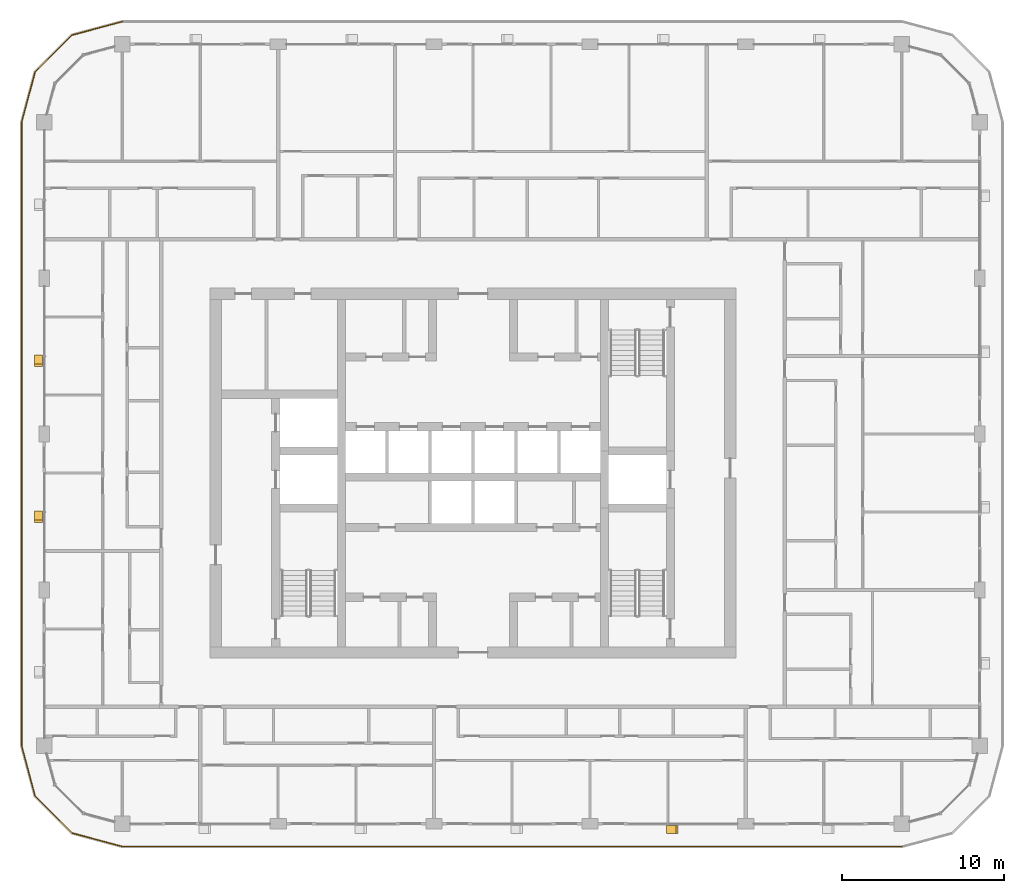
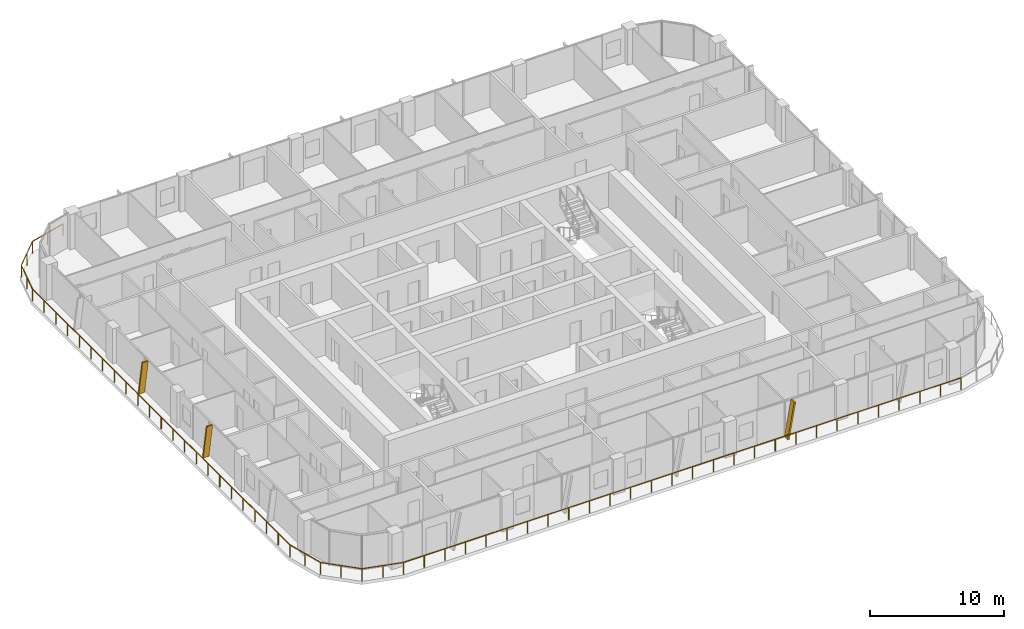
# One storey, part 19 of 23: 3 shading devices, 1 railing.
"""IFC4 building model written with IfcOpenShell, lengths in metres."""

from ifc_helpers import new_model, si_unit, direction, frame, origin, origin_2d, place, context, subcontext, project, spatial, polyline, circle, outline, extrude, material, type_object, element, save


model = new_model("IFC4")

# Units and contexts
model_context = context("Model", 3, precision=1e-05, world=origin(), true_north=direction((0.0, 1.0)))
body_context = subcontext(model_context, "Body", "Model", "MODEL_VIEW")
ifc_project = project(units=[si_unit("LENGTHUNIT", "METRE"), si_unit("AREAUNIT", "SQUARE_METRE"), si_unit("VOLUMEUNIT", "CUBIC_METRE"), si_unit("PLANEANGLEUNIT", "RADIAN"), si_unit("MASSUNIT", "GRAM", prefix="KILO")], contexts=[model_context])

# Site, building, storey
site_placement = place(None, origin())
site = spatial("IfcSite", under=ifc_project, at=site_placement, CompositionType="ELEMENT")
building_placement = place(site_placement, origin())
building = spatial("IfcBuilding", under=site, at=building_placement, Name="Madar Terraces", CompositionType="ELEMENT")
storey_placement = place(building_placement, frame((0.0, 0.0, 226.300048828125)))
storey = spatial("IfcBuildingStorey", under=building, at=storey_placement, Name="L59", CompositionType="ELEMENT", Elevation=226.300048828125)

# Railing
ifc_material_1 = material(Name="Glass, safety glazing, with stainless steel posts", Category="steel")
railing_type = type_object("IfcRailingType", Name="Balcony glass guard 1100", PredefinedType="GUARDRAIL", material=ifc_material_1)
railing_placement = place(storey_placement, frame((9.60009765625, 54.199951171875, 0.0)))
element("IfcRailing", 1, at=railing_placement, inside=storey, type_object=railing_type, Name="Balcony guard", PredefinedType="GUARDRAIL", context=body_context, shape_type="SweptSolid", body=[
    extrude(circle(Radius=0.02392578125, at=origin_2d()), frame((0.0, 0.0, 1.076171875), z_axis=(-0.9659337912, -0.258789317819, 0.0), x_axis=(0.258789317819, -0.9659337912, 0.0)), (0.0, 0.0, 1.0), 3.20947265625),
    extrude(circle(Radius=0.02392578125, at=origin_2d()), frame((-3.10009765625, -0.83056640625, 1.076171875), z_axis=(-0.707106781187, -0.707106781187, 0.0), x_axis=(0.707106781187, -0.707106781187, 0.0)), (0.0, 0.0, 1.0), 3.209228515625),
    extrude(circle(Radius=0.02392578125, at=origin_2d()), frame((-5.369384765625, -3.099853515625, 1.076171875), z_axis=(-0.258860290944, -0.965914773555, 0.0), x_axis=(0.965914773555, -0.258860290944, 0.0)), (0.0, 0.0, 1.0), 3.20947265625),
    extrude(circle(Radius=0.02392578125, at=origin_2d()), frame((-6.2001953125, -6.199951171875, 1.076171875), z_axis=(0.0, -1.0, 0.0), x_axis=(1.0, 0.0, 0.0)), (0.0, 0.0, 1.0), 38.39990234375),
    extrude(circle(Radius=0.02392578125, at=origin_2d()), frame((-6.2001953125, -44.599853515625, 1.076171875), z_axis=(0.258860290944, -0.965914773555, 0.0), x_axis=(0.965914773555, 0.258860290944, 0.0)), (0.0, 0.0, 1.0), 3.20947265625),
    extrude(circle(Radius=0.02392578125, at=origin_2d()), frame((-5.369384765625, -47.699951171875, 1.076171875), z_axis=(0.707106781187, -0.707106781187, 0.0), x_axis=(0.707106781187, 0.707106781187, 0.0)), (0.0, 0.0, 1.0), 3.209228515625),
    extrude(circle(Radius=0.02392578125, at=origin_2d()), frame((-3.10009765625, -49.96923828125, 1.076171875), z_axis=(0.965914773555, -0.258860290944, 0.0), x_axis=(0.258860290944, 0.965914773555, 0.0)), (0.0, 0.0, 1.0), 3.20947265625),
    extrude(circle(Radius=0.02392578125, at=origin_2d()), frame((0.0, -50.800048828125, 1.076171875), z_axis=(1.0, 0.0, 0.0), x_axis=(0.0, 1.0, 0.0)), (0.0, 0.0, 1.0), 48.0),
    extrude(circle(Radius=0.02099609375, at=origin_2d()), origin(), (0.0, 0.0, 1.0), 1.052001953125),
    extrude(circle(Radius=0.02099609375, at=origin_2d()), frame((-1.550048828125, -0.415283203125, 0.0)), (0.0, 0.0, 1.0), 1.052001953125),
    extrude(circle(Radius=0.02099609375, at=origin_2d()), frame((-3.10009765625, -0.83056640625, 0.0)), (0.0, 0.0, 1.0), 1.052001953125),
    extrude(circle(Radius=0.02099609375, at=origin_2d()), frame((-4.23486328125, -1.96533203125, 0.0)), (0.0, 0.0, 1.0), 1.052001953125),
    extrude(circle(Radius=0.02099609375, at=origin_2d()), frame((-5.369384765625, -3.099853515625, 0.0)), (0.0, 0.0, 1.0), 1.052001953125),
    extrude(circle(Radius=0.02099609375, at=origin_2d()), frame((-5.78466796875, -4.64990234375, 0.0)), (0.0, 0.0, 1.0), 1.052001953125),
    extrude(circle(Radius=0.02099609375, at=origin_2d()), frame((-6.2001953125, -6.199951171875, 0.0)), (0.0, 0.0, 1.0), 1.052001953125),
    extrude(circle(Radius=0.02099609375, at=origin_2d()), frame((-6.2001953125, -7.9453125, 0.0)), (0.0, 0.0, 1.0), 1.052001953125),
    extrude(circle(Radius=0.02099609375, at=origin_2d()), frame((-6.2001953125, -9.69091796875, 0.0)), (0.0, 0.0, 1.0), 1.052001953125),
    extrude(circle(Radius=0.02099609375, at=origin_2d()), frame((-6.2001953125, -11.436279296875, 0.0)), (0.0, 0.0, 1.0), 1.052001953125),
    extrude(circle(Radius=0.02099609375, at=origin_2d()), frame((-6.2001953125, -13.181640625, 0.0)), (0.0, 0.0, 1.0), 1.052001953125),
    extrude(circle(Radius=0.02099609375, at=origin_2d()), frame((-6.2001953125, -14.92724609375, 0.0)), (0.0, 0.0, 1.0), 1.052001953125),
    extrude(circle(Radius=0.02099609375, at=origin_2d()), frame((-6.2001953125, -16.672607421875, 0.0)), (0.0, 0.0, 1.0), 1.052001953125),
    extrude(circle(Radius=0.02099609375, at=origin_2d()), frame((-6.2001953125, -18.418212890625, 0.0)), (0.0, 0.0, 1.0), 1.052001953125),
    extrude(circle(Radius=0.02099609375, at=origin_2d()), frame((-6.2001953125, -20.16357421875, 0.0)), (0.0, 0.0, 1.0), 1.052001953125),
    extrude(circle(Radius=0.02099609375, at=origin_2d()), frame((-6.2001953125, -21.908935546875, 0.0)), (0.0, 0.0, 1.0), 1.052001953125),
    extrude(circle(Radius=0.02099609375, at=origin_2d()), frame((-6.2001953125, -23.654541015625, 0.0)), (0.0, 0.0, 1.0), 1.052001953125),
    extrude(circle(Radius=0.02099609375, at=origin_2d()), frame((-6.2001953125, -25.39990234375, 0.0)), (0.0, 0.0, 1.0), 1.052001953125),
    extrude(circle(Radius=0.02099609375, at=origin_2d()), frame((-6.2001953125, -27.145263671875, 0.0)), (0.0, 0.0, 1.0), 1.052001953125),
    extrude(circle(Radius=0.02099609375, at=origin_2d()), frame((-6.2001953125, -28.890869140625, 0.0)), (0.0, 0.0, 1.0), 1.052001953125),
    extrude(circle(Radius=0.02099609375, at=origin_2d()), frame((-6.2001953125, -30.63623046875, 0.0)), (0.0, 0.0, 1.0), 1.052001953125),
    extrude(circle(Radius=0.02099609375, at=origin_2d()), frame((-6.2001953125, -32.381591796875, 0.0)), (0.0, 0.0, 1.0), 1.052001953125),
    extrude(circle(Radius=0.02099609375, at=origin_2d()), frame((-6.2001953125, -34.127197265625, 0.0)), (0.0, 0.0, 1.0), 1.052001953125),
    extrude(circle(Radius=0.02099609375, at=origin_2d()), frame((-6.2001953125, -35.87255859375, 0.0)), (0.0, 0.0, 1.0), 1.052001953125),
    extrude(circle(Radius=0.02099609375, at=origin_2d()), frame((-6.2001953125, -37.6181640625, 0.0)), (0.0, 0.0, 1.0), 1.052001953125),
    extrude(circle(Radius=0.02099609375, at=origin_2d()), frame((-6.2001953125, -39.363525390625, 0.0)), (0.0, 0.0, 1.0), 1.052001953125),
    extrude(circle(Radius=0.02099609375, at=origin_2d()), frame((-6.2001953125, -41.10888671875, 0.0)), (0.0, 0.0, 1.0), 1.052001953125),
    extrude(circle(Radius=0.02099609375, at=origin_2d()), frame((-6.2001953125, -42.8544921875, 0.0)), (0.0, 0.0, 1.0), 1.052001953125),
    extrude(circle(Radius=0.02099609375, at=origin_2d()), frame((-6.2001953125, -44.599853515625, 0.0)), (0.0, 0.0, 1.0), 1.052001953125),
    extrude(circle(Radius=0.02099609375, at=origin_2d()), frame((-5.78466796875, -46.14990234375, 0.0)), (0.0, 0.0, 1.0), 1.052001953125),
    extrude(circle(Radius=0.02099609375, at=origin_2d()), frame((-5.369384765625, -47.699951171875, 0.0)), (0.0, 0.0, 1.0), 1.052001953125),
    extrude(circle(Radius=0.02099609375, at=origin_2d()), frame((-4.23486328125, -48.83447265625, 0.0)), (0.0, 0.0, 1.0), 1.052001953125),
    extrude(circle(Radius=0.02099609375, at=origin_2d()), frame((-3.10009765625, -49.96923828125, 0.0)), (0.0, 0.0, 1.0), 1.052001953125),
    extrude(circle(Radius=0.02099609375, at=origin_2d()), frame((-1.550048828125, -50.384765625, 0.0)), (0.0, 0.0, 1.0), 1.052001953125),
    extrude(circle(Radius=0.02099609375, at=origin_2d()), frame((0.0, -50.800048828125, 0.0)), (0.0, 0.0, 1.0), 1.052001953125),
    extrude(circle(Radius=0.02099609375, at=origin_2d()), frame((1.77783203125, -50.800048828125, 0.0)), (0.0, 0.0, 1.0), 1.052001953125),
    extrude(circle(Radius=0.02099609375, at=origin_2d()), frame((3.5556640625, -50.800048828125, 0.0)), (0.0, 0.0, 1.0), 1.052001953125),
    extrude(circle(Radius=0.02099609375, at=origin_2d()), frame((5.333251953125, -50.800048828125, 0.0)), (0.0, 0.0, 1.0), 1.052001953125),
    extrude(circle(Radius=0.02099609375, at=origin_2d()), frame((7.111083984375, -50.800048828125, 0.0)), (0.0, 0.0, 1.0), 1.052001953125),
    extrude(circle(Radius=0.02099609375, at=origin_2d()), frame((8.888916015625, -50.800048828125, 0.0)), (0.0, 0.0, 1.0), 1.052001953125),
    extrude(circle(Radius=0.02099609375, at=origin_2d()), frame((10.666748046875, -50.800048828125, 0.0)), (0.0, 0.0, 1.0), 1.052001953125),
    extrude(circle(Radius=0.02099609375, at=origin_2d()), frame((12.4443359375, -50.800048828125, 0.0)), (0.0, 0.0, 1.0), 1.052001953125),
    extrude(circle(Radius=0.02099609375, at=origin_2d()), frame((14.22216796875, -50.800048828125, 0.0)), (0.0, 0.0, 1.0), 1.052001953125),
    extrude(circle(Radius=0.02099609375, at=origin_2d()), frame((16.0, -50.800048828125, 0.0)), (0.0, 0.0, 1.0), 1.052001953125),
    extrude(circle(Radius=0.02099609375, at=origin_2d()), frame((17.77783203125, -50.800048828125, 0.0)), (0.0, 0.0, 1.0), 1.052001953125),
    extrude(circle(Radius=0.02099609375, at=origin_2d()), frame((19.5556640625, -50.800048828125, 0.0)), (0.0, 0.0, 1.0), 1.052001953125),
    extrude(circle(Radius=0.02099609375, at=origin_2d()), frame((21.333251953125, -50.800048828125, 0.0)), (0.0, 0.0, 1.0), 1.052001953125),
    extrude(circle(Radius=0.02099609375, at=origin_2d()), frame((23.111083984375, -50.800048828125, 0.0)), (0.0, 0.0, 1.0), 1.052001953125),
    extrude(circle(Radius=0.02099609375, at=origin_2d()), frame((24.888916015625, -50.800048828125, 0.0)), (0.0, 0.0, 1.0), 1.052001953125),
    extrude(circle(Radius=0.02099609375, at=origin_2d()), frame((26.666748046875, -50.800048828125, 0.0)), (0.0, 0.0, 1.0), 1.052001953125),
    extrude(circle(Radius=0.02099609375, at=origin_2d()), frame((28.4443359375, -50.800048828125, 0.0)), (0.0, 0.0, 1.0), 1.052001953125),
    extrude(circle(Radius=0.02099609375, at=origin_2d()), frame((30.22216796875, -50.800048828125, 0.0)), (0.0, 0.0, 1.0), 1.052001953125),
    extrude(circle(Radius=0.02099609375, at=origin_2d()), frame((32.0, -50.800048828125, 0.0)), (0.0, 0.0, 1.0), 1.052001953125),
    extrude(circle(Radius=0.02099609375, at=origin_2d()), frame((33.77783203125, -50.800048828125, 0.0)), (0.0, 0.0, 1.0), 1.052001953125),
    extrude(circle(Radius=0.02099609375, at=origin_2d()), frame((35.5556640625, -50.800048828125, 0.0)), (0.0, 0.0, 1.0), 1.052001953125),
    extrude(circle(Radius=0.02099609375, at=origin_2d()), frame((37.333251953125, -50.800048828125, 0.0)), (0.0, 0.0, 1.0), 1.052001953125),
    extrude(circle(Radius=0.02099609375, at=origin_2d()), frame((39.111083984375, -50.800048828125, 0.0)), (0.0, 0.0, 1.0), 1.052001953125),
    extrude(circle(Radius=0.02099609375, at=origin_2d()), frame((40.888916015625, -50.800048828125, 0.0)), (0.0, 0.0, 1.0), 1.052001953125),
    extrude(circle(Radius=0.02099609375, at=origin_2d()), frame((42.666748046875, -50.800048828125, 0.0)), (0.0, 0.0, 1.0), 1.052001953125),
    extrude(circle(Radius=0.02099609375, at=origin_2d()), frame((44.4443359375, -50.800048828125, 0.0)), (0.0, 0.0, 1.0), 1.052001953125),
    extrude(circle(Radius=0.02099609375, at=origin_2d()), frame((46.22216796875, -50.800048828125, 0.0)), (0.0, 0.0, 1.0), 1.052001953125),
    extrude(circle(Radius=0.02099609375, at=origin_2d()), frame((48.0, -50.800048828125, 0.0)), (0.0, 0.0, 1.0), 1.052001953125),
])

# Shading devices
ifc_material_2 = material(Name="Aluminium, black anodised", Category="aluminium")
shading_device_type = type_object("IfcShadingDeviceType", Name="Facade fin blade 140 x 500", PredefinedType="USERDEFINED", material=ifc_material_2)
shading_device_1_placement = place(storey_placement, frame((43.1298828125, 4.449951171875, 0.0), z_axis=(0.0, 0.0, 1.0), x_axis=(1.0, 0.0, 0.0)))
element("IfcShadingDevice", 2, at=shading_device_1_placement, inside=storey, type_object=shading_device_type, Name="FIN L59 S4", ObjectType="FIN", PredefinedType="USERDEFINED", context=body_context, shape_type="SweptSolid", body=[
    extrude(outline(polyline([(0.0, 0.0), (0.14013671875, 0.0), (0.704345703125, 3.199951171875), (0.564208984375, 3.199951171875), (0.0, 0.0)])), frame((0.0, 0.25, 0.0), z_axis=(0.0, -1.0, 0.0), x_axis=(1.0, 0.0, 0.0)), (0.0, 0.0, 1.0), 0.5),
])
shading_device_2_placement = place(storey_placement, frame((4.449951171875, 33.669921875, 0.0), z_axis=(0.0, 0.0, 1.0), x_axis=(0.0, -1.0, 0.0)))
element("IfcShadingDevice", 3, at=shading_device_2_placement, inside=storey, type_object=shading_device_type, Name="FIN L59 W2", ObjectType="FIN", PredefinedType="USERDEFINED", context=body_context, shape_type="SweptSolid", body=[
    extrude(outline(polyline([(0.0, 0.0), (0.139892578125, 0.0), (0.704345703125, 3.199951171875), (0.564208984375, 3.199951171875), (0.0, 0.0)])), frame((0.0, 0.25, 0.0), z_axis=(0.0, -1.0, 0.0), x_axis=(1.0, 0.0, 0.0)), (0.0, 0.0, 1.0), 0.5),
])
shading_device_3_placement = place(storey_placement, frame((4.449951171875, 24.070068359375, 0.0), z_axis=(0.0, 0.0, 1.0), x_axis=(0.0, -1.0, 0.0)))
element("IfcShadingDevice", 4, at=shading_device_3_placement, inside=storey, type_object=shading_device_type, Name="FIN L59 W3", ObjectType="FIN", PredefinedType="USERDEFINED", context=body_context, shape_type="SweptSolid", body=[
    extrude(outline(polyline([(0.0, 0.0), (0.14013671875, 0.0), (0.704345703125, 3.199951171875), (0.564208984375, 3.199951171875), (0.0, 0.0)])), frame((0.0, 0.25, 0.0), z_axis=(0.0, -1.0, 0.0), x_axis=(1.0, 0.0, 0.0)), (0.0, 0.0, 1.0), 0.5),
])

save(model, "model.ifc")
